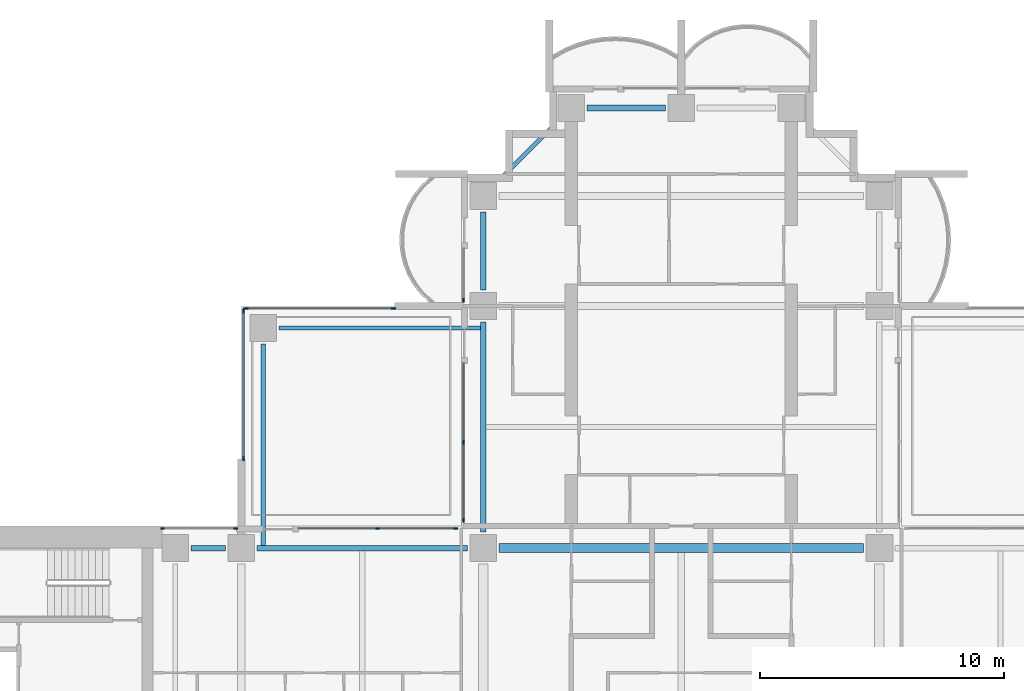
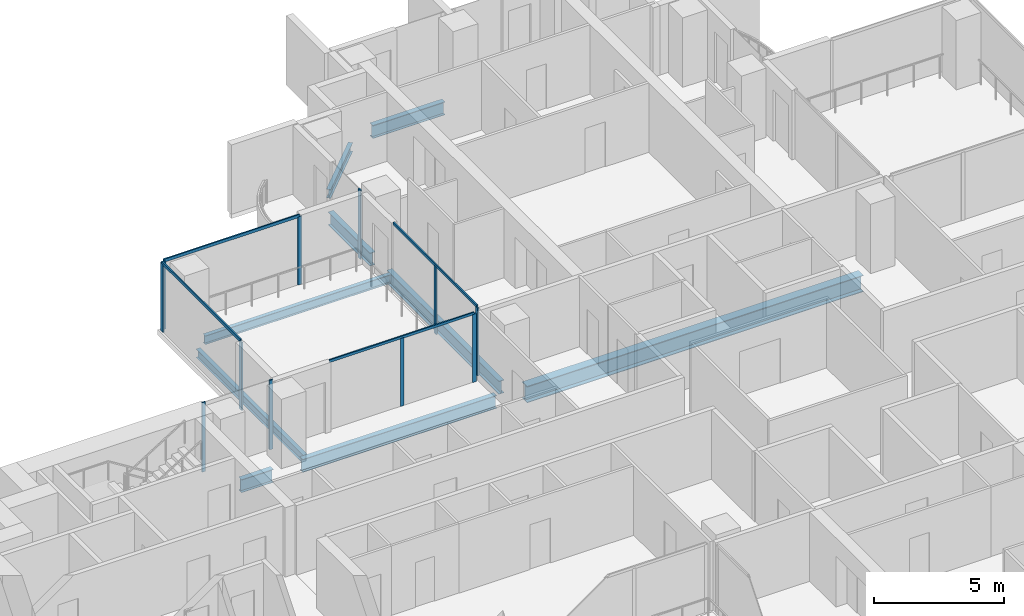
# One storey, part 5 of 20: 15 members, 9 beams, 6 elements without a shape of their own.
"""IFC4 building model written with IfcOpenShell, lengths in metres."""

from ifc_helpers import new_model, si_unit, direction, frame, origin, origin_2d, place, context, subcontext, project, spatial, rectangle, i_section, extrude, material, material_profile, profile_set, type_object, element, aggregate, save


model = new_model("IFC4")

# Units and contexts
model_context = context("Model", 3, precision=1e-05, world=origin(), true_north=direction((0.0, 1.0)))
body_context = subcontext(model_context, "Body", "Model", "MODEL_VIEW")
ifc_project = project(units=[si_unit("LENGTHUNIT", "METRE"), si_unit("AREAUNIT", "SQUARE_METRE"), si_unit("VOLUMEUNIT", "CUBIC_METRE"), si_unit("PLANEANGLEUNIT", "RADIAN"), si_unit("MASSUNIT", "GRAM", prefix="KILO")], contexts=[model_context])

# Site, building, storey
site_placement = place(None, origin())
site = spatial("IfcSite", under=ifc_project, at=site_placement, CompositionType="ELEMENT")
building_placement = place(site_placement, origin())
building = spatial("IfcBuilding", under=site, at=building_placement, Name="Perihelion Cross Residences", CompositionType="ELEMENT")
storey_placement = place(building_placement, frame((0.0, 0.0, 102.39990234375)))
storey = spatial("IfcBuildingStorey", under=building, at=storey_placement, Name="L23", CompositionType="ELEMENT", Elevation=102.39990234375)

# Curtain wall, member
ifc_material_1 = material(Name="Bronze anodised aluminium, tinted glazing", Category="aluminium")
curtain_wall_type_1 = type_object("IfcCurtainWallType", Name="CW1", PredefinedType="NOTDEFINED", material=ifc_material_1)
curtain_wall_1_placement = place(storey_placement, origin())
curtain_wall_1 = element("IfcCurtainWall", 1, at=curtain_wall_1_placement, inside=storey, type_object=curtain_wall_type_1, Name="Curtain wall CW1 L23 north side west bay 1", PredefinedType="NOTDEFINED")
ifc_material_2 = material(Name="Bronze anodised aluminium", Category="aluminium")
ifc_material_profile_1 = material_profile(ifc_material_2, rectangle(XDim=0.06005859375, YDim=0.159912109375, at=origin_2d()), Name="CW1 mullion")
ifc_profile_set_1 = profile_set([ifc_material_profile_1], Name="Bronze anodised aluminium")
member_type_1 = type_object("IfcMemberType", Name="CW1 mullion", PredefinedType="MULLION", material=ifc_profile_set_1)
member_1_placement = place(storey_placement, frame((-8.89990234375, 18.22998046875, 0.0), z_axis=(0.0, 0.0, 1.0), x_axis=(1.0, 0.0, 0.0)))
member_1 = element("IfcMember", 2, at=member_1_placement, type_object=member_type_1, Name="CW1 mullion 2", PredefinedType="MULLION", context=body_context, shape_type="SweptSolid", body=[
    extrude(rectangle(XDim=0.06005859375, YDim=0.159912109375, at=origin_2d()), origin(), (0.0, 0.0, 1.0), 3.25),
])
aggregate(curtain_wall_1, [member_1])

# Curtain wall, members
curtain_wall_2_placement = place(storey_placement, origin())
curtain_wall_2 = element("IfcCurtainWall", 3, at=curtain_wall_2_placement, inside=storey, type_object=curtain_wall_type_1, Name="Curtain wall CW1 L23 north side west bay 2", PredefinedType="NOTDEFINED")
member_2_placement = place(storey_placement, frame((-8.89990234375, 12.425048828125, 0.0), z_axis=(0.0, 0.0, 1.0), x_axis=(1.0, 0.0, 0.0)))
member_2 = element("IfcMember", 4, at=member_2_placement, type_object=member_type_1, Name="CW1 mullion 2", PredefinedType="MULLION", context=body_context, shape_type="SweptSolid", body=[
    extrude(rectangle(XDim=0.06005859375, YDim=0.159912109375, at=origin_2d()), origin(), (0.0, 0.0, 1.0), 3.190185546875),
])
member_3_placement = place(storey_placement, frame((-8.89990234375, 9.22998046875, 0.0), z_axis=(0.0, 0.0, 1.0), x_axis=(1.0, 0.0, 0.0)))
member_3 = element("IfcMember", 5, at=member_3_placement, type_object=member_type_1, Name="CW1 mullion 3", PredefinedType="MULLION", context=body_context, shape_type="SweptSolid", body=[
    extrude(rectangle(XDim=0.06005859375, YDim=0.159912109375, at=origin_2d()), origin(), (0.0, 0.0, 1.0), 3.190185546875),
])

curtain_wall_3_placement = place(storey_placement, origin())
curtain_wall_3 = element("IfcCurtainWall", 6, at=curtain_wall_3_placement, inside=storey, type_object=curtain_wall_type_1, Name="Curtain wall CW1 L23 west side north bay 1", PredefinedType="NOTDEFINED")
member_4_placement = place(storey_placement, frame((-9.22998046875, 8.89990234375, 0.0), z_axis=(0.0, 0.0, 1.0), x_axis=(0.0, -1.0, 0.0)))
member_4 = element("IfcMember", 7, at=member_4_placement, type_object=member_type_1, Name="CW1 mullion 1", PredefinedType="MULLION", context=body_context, shape_type="SweptSolid", body=[
    extrude(rectangle(XDim=0.06005859375, YDim=0.159912109375, at=origin_2d()), origin(), (0.0, 0.0, 1.0), 3.190185546875),
])
member_5_placement = place(storey_placement, frame((-12.425048828125, 8.89990234375, 0.0), z_axis=(0.0, 0.0, 1.0), x_axis=(0.0, -1.0, 0.0)))
member_5 = element("IfcMember", 8, at=member_5_placement, type_object=member_type_1, Name="CW1 mullion 2", PredefinedType="MULLION", context=body_context, shape_type="SweptSolid", body=[
    extrude(rectangle(XDim=0.06005859375, YDim=0.159912109375, at=origin_2d()), origin(), (0.0, 0.0, 1.0), 3.190185546875),
])

curtain_wall_4_placement = place(storey_placement, origin())
curtain_wall_4 = element("IfcCurtainWall", 9, at=curtain_wall_4_placement, inside=storey, type_object=curtain_wall_type_1, Name="Curtain wall CW1 L23 west side north bay 2", PredefinedType="NOTDEFINED")
member_6_placement = place(storey_placement, frame((-18.22998046875, 8.89990234375, 0.0), z_axis=(0.0, 0.0, 1.0), x_axis=(0.0, -1.0, 0.0)))
member_6 = element("IfcMember", 10, at=member_6_placement, type_object=member_type_1, Name="CW1 mullion 1", PredefinedType="MULLION", context=body_context, shape_type="SweptSolid", body=[
    extrude(rectangle(XDim=0.06005859375, YDim=0.159912109375, at=origin_2d()), origin(), (0.0, 0.0, 1.0), 3.25),
])
member_7_placement = place(storey_placement, frame((-21.219970703125, 8.89990234375, 0.0), z_axis=(0.0, 0.0, 1.0), x_axis=(0.0, -1.0, 0.0)))
member_7 = element("IfcMember", 11, at=member_7_placement, type_object=member_type_1, Name="CW1 mullion 2", PredefinedType="MULLION", context=body_context, shape_type="SweptSolid", body=[
    extrude(rectangle(XDim=0.06005859375, YDim=0.159912109375, at=origin_2d()), origin(), (0.0, 0.0, 1.0), 3.25),
])
aggregate(curtain_wall_4, [member_6, member_7])

# Member
ifc_material_3 = material(Name="Bronze anodised aluminium", Category="aluminium")
ifc_material_profile_2 = material_profile(ifc_material_3, rectangle(XDim=0.06005859375, YDim=0.1201171875, at=origin_2d()), Name="CW1 transom")
ifc_profile_set_2 = profile_set([ifc_material_profile_2], Name="Bronze anodised aluminium")
member_type_2 = type_object("IfcMemberType", Name="CW1 transom", PredefinedType="USERDEFINED", material=ifc_profile_set_2)
member_8_placement = place(storey_placement, frame((-8.89990234375, 15.64990234375, 3.22021484375), z_axis=(0.0, -1.0, 0.0), x_axis=(1.0, 0.0, 0.0)))
member_8 = element("IfcMember", 12, at=member_8_placement, type_object=member_type_2, Name="CW1 head transom", ObjectType="TRANSOM", PredefinedType="USERDEFINED", context=body_context, shape_type="SweptSolid", body=[
    extrude(rectangle(XDim=0.06005859375, YDim=0.1201171875, at=origin_2d()), origin(), (0.0, 0.0, 1.0), 6.419921875),
])

aggregate(curtain_wall_2, [member_2, member_3, member_8])

member_9_placement = place(storey_placement, frame((-9.22998046875, 8.89990234375, 3.22021484375), z_axis=(-1.0, 0.0, 0.0), x_axis=(0.0, -1.0, 0.0)))
member_9 = element("IfcMember", 13, at=member_9_placement, type_object=member_type_2, Name="CW1 head transom", ObjectType="TRANSOM", PredefinedType="USERDEFINED", context=body_context, shape_type="SweptSolid", body=[
    extrude(rectangle(XDim=0.06005859375, YDim=0.1201171875, at=origin_2d()), origin(), (0.0, 0.0, 1.0), 6.419921875),
])

aggregate(curtain_wall_3, [member_4, member_5, member_9])

# Curtain wall, members
ifc_material_4 = material(Name="Bronze anodised aluminium, tinted glazing", Category="aluminium")
curtain_wall_type_2 = type_object("IfcCurtainWallType", Name="CW4", PredefinedType="NOTDEFINED", material=ifc_material_4)
curtain_wall_5_placement = place(storey_placement, origin())
curtain_wall_5 = element("IfcCurtainWall", 14, at=curtain_wall_5_placement, inside=storey, type_object=curtain_wall_type_2, Name="Curtain wall CW4 L23 pocket north-west 1 1", PredefinedType="NOTDEFINED")
ifc_material_5 = material(Name="Bronze anodised aluminium", Category="aluminium")
ifc_material_profile_3 = material_profile(ifc_material_5, rectangle(XDim=0.06005859375, YDim=0.179931640625, at=origin_2d()), Name="CW4 mullion")
ifc_profile_set_3 = profile_set([ifc_material_profile_3], Name="Bronze anodised aluminium")
member_type_3 = type_object("IfcMemberType", Name="CW4 mullion", PredefinedType="MULLION", material=ifc_profile_set_3)
member_10_placement = place(storey_placement, frame((-17.89990234375, 11.77001953125, 0.0), z_axis=(0.0, 0.0, 1.0), x_axis=(-1.0, 0.0, 0.0)))
member_10 = element("IfcMember", 15, at=member_10_placement, type_object=member_type_3, Name="CW4 mullion 1", PredefinedType="MULLION", context=body_context, shape_type="SweptSolid", body=[
    extrude(rectangle(XDim=0.06005859375, YDim=0.179931640625, at=origin_2d()), origin(), (0.0, 0.0, 1.0), 3.190185546875),
])
member_11_placement = place(storey_placement, frame((-17.89990234375, 17.800048828125, 0.0), z_axis=(0.0, 0.0, 1.0), x_axis=(-1.0, 0.0, 0.0)))
member_11 = element("IfcMember", 16, at=member_11_placement, type_object=member_type_3, Name="CW4 mullion 2", PredefinedType="MULLION", context=body_context, shape_type="SweptSolid", body=[
    extrude(rectangle(XDim=0.06005859375, YDim=0.179931640625, at=origin_2d()), origin(), (0.0, 0.0, 1.0), 3.190185546875),
])

curtain_wall_6_placement = place(storey_placement, origin())
curtain_wall_6 = element("IfcCurtainWall", 17, at=curtain_wall_6_placement, inside=storey, type_object=curtain_wall_type_2, Name="Curtain wall CW4 L23 pocket north-west 1 2", PredefinedType="NOTDEFINED")
member_12_placement = place(storey_placement, frame((-17.800048828125, 17.89990234375, 0.0), z_axis=(0.0, 0.0, 1.0), x_axis=(0.0, 1.0, 0.0)))
member_12 = element("IfcMember", 18, at=member_12_placement, type_object=member_type_3, Name="CW4 mullion 1", PredefinedType="MULLION", context=body_context, shape_type="SweptSolid", body=[
    extrude(rectangle(XDim=0.06005859375, YDim=0.179931640625, at=origin_2d()), origin(), (0.0, 0.0, 1.0), 3.190185546875),
])
member_13_placement = place(storey_placement, frame((-11.77001953125, 17.89990234375, 0.0), z_axis=(0.0, 0.0, 1.0), x_axis=(0.0, 1.0, 0.0)))
member_13 = element("IfcMember", 19, at=member_13_placement, type_object=member_type_3, Name="CW4 mullion 2", PredefinedType="MULLION", context=body_context, shape_type="SweptSolid", body=[
    extrude(rectangle(XDim=0.06005859375, YDim=0.179931640625, at=origin_2d()), origin(), (0.0, 0.0, 1.0), 3.190185546875),
])

# Member
ifc_material_6 = material(Name="Bronze anodised aluminium", Category="aluminium")
ifc_material_profile_4 = material_profile(ifc_material_6, rectangle(XDim=0.06005859375, YDim=0.139892578125, at=origin_2d()), Name="CW4 transom")
ifc_profile_set_4 = profile_set([ifc_material_profile_4], Name="Bronze anodised aluminium")
member_type_4 = type_object("IfcMemberType", Name="CW4 transom", PredefinedType="USERDEFINED", material=ifc_profile_set_4)
member_14_placement = place(storey_placement, frame((-17.89990234375, 11.77001953125, 3.22021484375), z_axis=(0.0, 1.0, 0.0), x_axis=(-1.0, 0.0, 0.0)))
member_14 = element("IfcMember", 20, at=member_14_placement, type_object=member_type_4, Name="CW4 head transom", ObjectType="TRANSOM", PredefinedType="USERDEFINED", context=body_context, shape_type="SweptSolid", body=[
    extrude(rectangle(XDim=0.06005859375, YDim=0.139892578125, at=origin_2d()), origin(), (0.0, 0.0, 1.0), 6.030029296875),
])

aggregate(curtain_wall_5, [member_10, member_11, member_14])

member_15_placement = place(storey_placement, frame((-17.800048828125, 17.89990234375, 3.22021484375), z_axis=(1.0, 0.0, 0.0), x_axis=(0.0, 1.0, 0.0)))
member_15 = element("IfcMember", 21, at=member_15_placement, type_object=member_type_4, Name="CW4 head transom", ObjectType="TRANSOM", PredefinedType="USERDEFINED", context=body_context, shape_type="SweptSolid", body=[
    extrude(rectangle(XDim=0.06005859375, YDim=0.139892578125, at=origin_2d()), origin(), (0.0, 0.0, 1.0), 6.030029296875),
])

aggregate(curtain_wall_6, [member_12, member_13, member_15])

# Beams
ifc_material_7 = material(Name="Steel S355", Category="steel")
ifc_material_profile_5 = material_profile(ifc_material_7, i_section(OverallWidth=0.177978515625, OverallDepth=0.406005859375, WebThickness=0.0078125, FlangeThickness=0.0126953125, at=origin_2d()), Name="W410x60")
ifc_profile_set_5 = profile_set([ifc_material_profile_5], Name="Steel S355")
beam_type_1 = type_object("IfcBeamType", Name="Core edge beam W410x60", PredefinedType="BEAM", material=ifc_profile_set_5)
for number, where, z_axis, x_axis, name in (
    (22, (-17.10009765625, 8.214599609375, -0.452880859375), (0.0, 1.0, 0.0), (-1.0, 0.0, 0.0), "Core edge beam TB2 L23 corner no. 3"),
    (23, (-8.214599609375, 17.10009765625, -0.452880859375), (-1.0, 0.0, 0.0), (0.0, -1.0, 0.0), "Core edge beam TB2 L23 corner no. 4"),
):
    element("IfcBeam", number, at=place(storey_placement, frame(where, z_axis=z_axis, x_axis=x_axis)), inside=storey, type_object=beam_type_1, Name=name, PredefinedType="BEAM", context=body_context, shape_type="SweptSolid", body=[
        extrude(i_section(OverallWidth=0.177978515625, OverallDepth=0.406005859375, WebThickness=0.0078125, FlangeThickness=0.0126953125, at=origin_2d()), origin(), (0.0, 0.0, 1.0), 8.2353515625),
    ])
ifc_material_8 = material(Name="Steel S355", Category="steel")
ifc_material_profile_6 = material_profile(ifc_material_8, i_section(OverallWidth=0.22900390625, OverallDepth=0.612060546875, WebThickness=0.011962890625, FlangeThickness=0.01953125, at=origin_2d()), Name="W610x125")
ifc_profile_set_6 = profile_set([ifc_material_profile_6], Name="Steel S355")
beam_type_2 = type_object("IfcBeamType", Name="Edge beam W610x125", PredefinedType="SPANDREL", material=ifc_profile_set_6)
for number, where, z_axis, x_axis, name in (
    (24, (-0.64990234375, 26.10009765625, -0.555908203125), (-1.0, 0.0, 0.0), (0.0, -1.0, 0.0), "Edge beam SB3 L23 no. 8"),
    (25, (-8.10009765625, 21.85009765625, -0.555908203125), (0.0, -1.0, 0.0), (1.0, 0.0, 0.0), "Edge beam SB3 L23 no. 6"),
):
    element("IfcBeam", number, at=place(storey_placement, frame(where, z_axis=z_axis, x_axis=x_axis)), inside=storey, type_object=beam_type_2, Name=name, PredefinedType="SPANDREL", context=body_context, shape_type="SweptSolid", body=[
        extrude(i_section(OverallWidth=0.22900390625, OverallDepth=0.612060546875, WebThickness=0.011962890625, FlangeThickness=0.01953125, at=origin_2d()), origin(), (0.0, 0.0, 1.0), 3.2001953125),
    ])
for number, where, z_axis, x_axis, name in (
    (26, (-8.10009765625, 17.35009765625, -0.555908203125), (0.0, -1.0, 0.0), (1.0, 0.0, 0.0), "Edge beam SB3 L23 no. 5"),
    (27, (-8.75, 8.10009765625, -0.555908203125), (-1.0, 0.0, 0.0), (0.0, -1.0, 0.0), "Edge beam SB3 L23 no. 7"),
):
    element("IfcBeam", number, at=place(storey_placement, frame(where, z_axis=z_axis, x_axis=x_axis)), inside=storey, type_object=beam_type_2, Name=name, PredefinedType="SPANDREL", context=body_context, shape_type="SweptSolid", body=[
        extrude(i_section(OverallWidth=0.22900390625, OverallDepth=0.612060546875, WebThickness=0.011962890625, FlangeThickness=0.01953125, at=origin_2d()), origin(), (0.0, 0.0, 1.0), 8.60009765625),
    ])
beam_1_placement = place(storey_placement, frame((-18.64990234375, 8.10009765625, -0.555908203125), z_axis=(-1.0, 0.0, 0.0), x_axis=(0.0, -1.0, 0.0)))
element("IfcBeam", 28, at=beam_1_placement, inside=storey, type_object=beam_type_2, Name="Edge beam SB3 L23 no. 2", PredefinedType="SPANDREL", context=body_context, shape_type="SweptSolid", body=[
    extrude(i_section(OverallWidth=0.22900390625, OverallDepth=0.612060546875, WebThickness=0.011962890625, FlangeThickness=0.01953125, at=origin_2d()), origin(), (0.0, 0.0, 1.0), 1.400146484375),
])
ifc_material_9 = material(Name="Steel S355", Category="steel")
ifc_material_profile_7 = material_profile(ifc_material_9, i_section(OverallWidth=0.381103515625, OverallDepth=0.77197265625, WebThickness=0.0166015625, FlangeThickness=0.027099609375, at=origin_2d()), Name="W760x257")
ifc_profile_set_7 = profile_set([ifc_material_profile_7], Name="Steel S355")
beam_type_3 = type_object("IfcBeamType", Name="Hub ring girder W760x257", PredefinedType="BEAM", material=ifc_profile_set_7)
beam_2_placement = place(storey_placement, frame((7.449951171875, 8.10009765625, -0.635986328125), z_axis=(-1.0, 0.0, 0.0), x_axis=(0.0, -1.0, 0.0)))
element("IfcBeam", 29, at=beam_2_placement, inside=storey, type_object=beam_type_3, Name="Hub ring girder RG3 L23 no. 4", PredefinedType="BEAM", context=body_context, shape_type="SweptSolid", body=[
    extrude(i_section(OverallWidth=0.381103515625, OverallDepth=0.77197265625, WebThickness=0.0166015625, FlangeThickness=0.027099609375, at=origin_2d()), origin(), (0.0, 0.0, 1.0), 14.89990234375),
])
ifc_material_10 = material(Name="Steel S355", Category="steel")
ifc_material_profile_8 = material_profile(ifc_material_10, i_section(OverallWidth=0.180908203125, OverallDepth=0.4169921875, WebThickness=0.010986328125, FlangeThickness=0.018310546875, at=origin_2d()), Name="W410x85")
ifc_profile_set_8 = profile_set([ifc_material_profile_8], Name="Steel S355")
beam_type_4 = type_object("IfcBeamType", Name="Serration edge beam W410x85", PredefinedType="BEAM", material=ifc_profile_set_8)
beam_3_placement = place(storey_placement, frame((-5.14990234375, 25.449951171875, -0.45849609375), z_axis=(-0.707106781187, -0.707106781187, 0.0), x_axis=(0.707106781187, -0.707106781187, 0.0)))
element("IfcBeam", 30, at=beam_3_placement, inside=storey, type_object=beam_type_4, Name="Serration edge beam EB3 L23 no. 1", PredefinedType="BEAM", context=body_context, shape_type="SweptSolid", body=[
    extrude(i_section(OverallWidth=0.180908203125, OverallDepth=0.4169921875, WebThickness=0.010986328125, FlangeThickness=0.018310546875, at=origin_2d()), origin(), (0.0, 0.0, 1.0), 3.252685546875),
])

save(model, "model.ifc")
